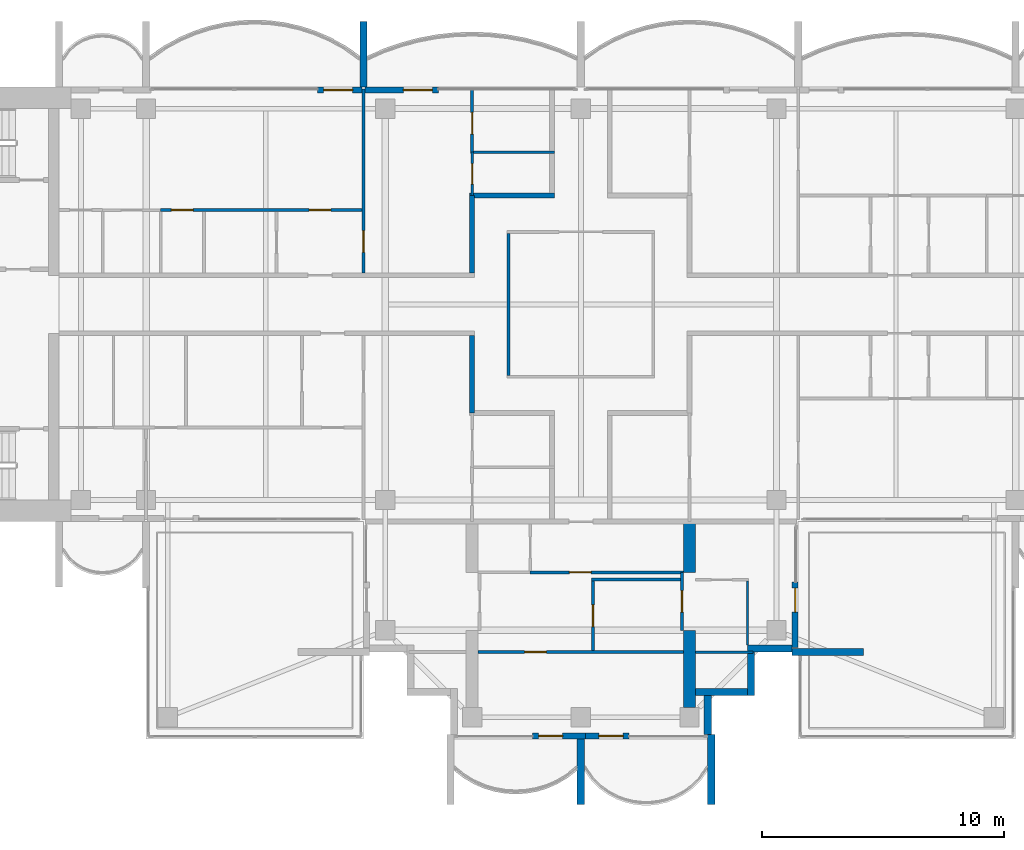
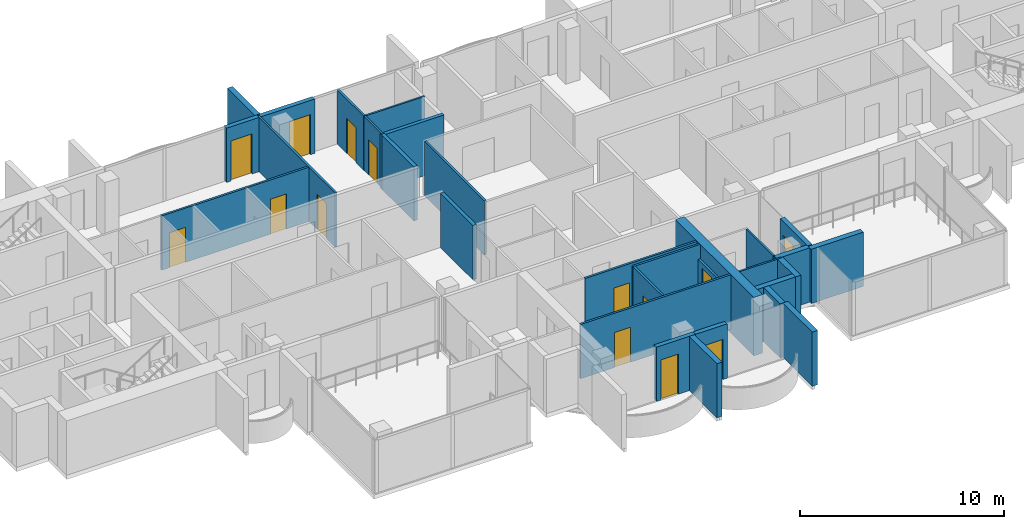
# One storey, part 9 of 16: 30 walls, 14 doors, 14 openings.
"""IFC4 building model written with IfcOpenShell, lengths in metres."""

from ifc_helpers import new_model, si_unit, direction, frame, frame_2d, origin, place, context, subcontext, project, spatial, polyline, rectangle, outline, extrude, material, layer, layer_set, material_profile, profile_set, type_object, element, fill, save


model = new_model("IFC4")

# Units and contexts
model_context = context("Model", 3, precision=1e-05, world=origin(), true_north=direction((0.0, 1.0)))
body_context = subcontext(model_context, "Body", "Model", "MODEL_VIEW")
ifc_project = project(units=[si_unit("LENGTHUNIT", "METRE"), si_unit("AREAUNIT", "SQUARE_METRE"), si_unit("VOLUMEUNIT", "CUBIC_METRE"), si_unit("PLANEANGLEUNIT", "RADIAN"), si_unit("MASSUNIT", "GRAM", prefix="KILO")], contexts=[model_context])

# Site, building, storey
site_placement = place(None, origin())
site = spatial("IfcSite", under=ifc_project, at=site_placement, CompositionType="ELEMENT")
building_placement = place(site_placement, origin())
building = spatial("IfcBuilding", under=site, at=building_placement, Name="Perihelion Cross Residences", CompositionType="ELEMENT")
storey_placement = place(building_placement, frame((0.0, 0.0, 243.0)))
storey = spatial("IfcBuildingStorey", under=building, at=storey_placement, Name="L61", CompositionType="ELEMENT", Elevation=243.0)

# Walls
ifc_material_1 = material(Name="Plasterboard partition")
ifc_layer_1 = layer(ifc_material_1, 0.199951171875)
ifc_layer_set_1 = layer_set([ifc_layer_1], Name="Apartment separation wall 200")
wall_type_1 = type_object("IfcWallType", Name="Apartment separation wall 200", PredefinedType="PARTITIONING", material=ifc_layer_set_1)
wall_1_placement = place(storey_placement, frame((-4.5, 1.300048828125, 0.0), z_axis=(0.0, 0.0, 1.0), x_axis=(0.0, 1.0, 0.0)))
element("IfcWall", 1, at=wall_1_placement, inside=storey, type_object=wall_type_1, Name="Partition L61 W014", PredefinedType="PARTITIONING", context=body_context, shape_type="SweptSolid", body=[
    extrude(rectangle(XDim=3.199951171875, YDim=0.199951171875, at=frame_2d((1.60009765625, 0.0))), origin(), (0.0, 0.0, 1.0), 3.25),
])
wall_2_placement = place(storey_placement, frame((-4.60009765625, 4.5, 0.0), z_axis=(0.0, 0.0, 1.0), x_axis=(1.0, 0.0, 0.0)))
element("IfcWall", 2, at=wall_2_placement, inside=storey, type_object=wall_type_1, Name="Partition L61 W015", PredefinedType="PARTITIONING", context=body_context, shape_type="SweptSolid", body=[
    extrude(rectangle(XDim=3.5, YDim=0.199951171875, at=frame_2d((1.75, 0.0))), origin(), (0.0, 0.0, 1.0), 3.25),
])
wall_3_placement = place(storey_placement, frame((-4.5, -4.5, 0.0), z_axis=(0.0, 0.0, 1.0), x_axis=(0.0, 1.0, 0.0)))
element("IfcWall", 3, at=wall_3_placement, inside=storey, type_object=wall_type_1, Name="Partition L61 W018", PredefinedType="PARTITIONING", context=body_context, shape_type="SweptSolid", body=[
    extrude(rectangle(XDim=3.199951171875, YDim=0.199951171875, at=frame_2d((1.60009765625, 0.0))), origin(), (0.0, 0.0, 1.0), 3.25),
])

# Wall, opening, door
ifc_material_2 = material(Name="Concrete C30/37, bronze-clad", Category="concrete")
ifc_layer_2 = layer(ifc_material_2, 0.25)
ifc_layer_set_2 = layer_set([ifc_layer_2], Name="Bronze-clad pier wall 250")
wall_type_2 = type_object("IfcWallType", Name="Bronze-clad pier wall 250", PredefinedType="SOLIDWALL", material=ifc_layer_set_2)
wall_4_placement = place(storey_placement, frame((-5.89990234375, 8.875, 0.0), z_axis=(0.0, 0.0, 1.0), x_axis=(-1.0, 0.0, 0.0)))
wall_4 = element("IfcWall", 4, at=wall_4_placement, inside=storey, type_object=wall_type_2, Name="Wall FW1 L61 north side east bay 2 pier", PredefinedType="SOLIDWALL", context=body_context, shape_type="SweptSolid", body=[
    extrude(rectangle(XDim=3.0400390625, YDim=0.25, at=frame_2d((1.52001953125, 0.0))), origin(), (0.0, 0.0, 1.0), 3.25),
])
opening_1_placement = place(wall_4_placement, frame((0.25, 0.0, 0.0)))
opening_1 = element("IfcOpeningElement", 5, at=opening_1_placement, cuts=wall_4, Name="Opening L61.E04", PredefinedType="OPENING", context=body_context, shape_type="SweptSolid", body=[
    extrude(rectangle(XDim=1.199951171875, YDim=2.39990234375, at=frame_2d((0.60009765625, 1.199951171875))), frame((0.0, 0.135009765625, 0.0), z_axis=(0.0, -1.0, 0.0), x_axis=(1.0, 0.0, 0.0)), (0.0, 0.0, 1.0), 0.27001953125),
])
ifc_material_3 = material(Name="Bronze anodised aluminium, glazed", Category="aluminium")
door_type_1 = type_object("IfcDoorType", Name="Balcony door 1200 x 2400", OperationType="NOTDEFINED", PredefinedType="DOOR", material=ifc_material_3)
door_1_placement = place(opening_1_placement, origin())
door_1 = element("IfcDoor", 6, at=door_1_placement, inside=storey, type_object=door_type_1, Name="Door L61.E04 north side east bay 2", OperationType="SINGLE_SWING_RIGHT", OverallHeight=2.39990234375, OverallWidth=1.199951171875, PredefinedType="DOOR", context=body_context, shape_type="SweptSolid", body=[
    extrude(rectangle(XDim=1.199951171875, YDim=2.39990234375, at=frame_2d((0.60009765625, 1.199951171875))), frame((0.0, 0.02490234375, 0.0), z_axis=(0.0, -1.0, 0.0), x_axis=(1.0, 0.0, 0.0)), (0.0, 0.0, 1.0), 0.050048828125),
])
fill(opening_1, door_1)

wall_5_placement = place(storey_placement, frame((-9.06005859375, 8.875, 0.0), z_axis=(0.0, 0.0, 1.0), x_axis=(-1.0, 0.0, 0.0)))
wall_5 = element("IfcWall", 7, at=wall_5_placement, inside=storey, type_object=wall_type_2, Name="Wall FW1 L61 west side north bay 1 pier", PredefinedType="SOLIDWALL", context=body_context, shape_type="SweptSolid", body=[
    extrude(rectangle(XDim=1.83984375, YDim=0.25, at=frame_2d((0.919921875, 0.0))), origin(), (0.0, 0.0, 1.0), 3.25),
])
opening_2_placement = place(wall_5_placement, frame((0.389892578125, 0.0, 0.0)))
opening_2 = element("IfcOpeningElement", 8, at=opening_2_placement, cuts=wall_5, Name="Opening L61.E05", PredefinedType="OPENING", context=body_context, shape_type="SweptSolid", body=[
    extrude(rectangle(XDim=1.199951171875, YDim=2.39990234375, at=frame_2d((0.60009765625, 1.199951171875))), frame((0.0, 0.135009765625, 0.0), z_axis=(0.0, -1.0, 0.0), x_axis=(1.0, 0.0, 0.0)), (0.0, 0.0, 1.0), 0.27001953125),
])
door_2_placement = place(opening_2_placement, origin())
door_2 = element("IfcDoor", 9, at=door_2_placement, inside=storey, type_object=door_type_1, Name="Door L61.E05 west side north bay 1", OperationType="SINGLE_SWING_LEFT", OverallHeight=2.39990234375, OverallWidth=1.199951171875, PredefinedType="DOOR", context=body_context, shape_type="SweptSolid", body=[
    extrude(rectangle(XDim=1.199951171875, YDim=2.39990234375, at=frame_2d((0.60009765625, 1.199951171875))), frame((0.0, 0.02490234375, 0.0), z_axis=(0.0, -1.0, 0.0), x_axis=(1.0, 0.0, 0.0)), (0.0, 0.0, 1.0), 0.050048828125),
])
fill(opening_2, door_2)

wall_6_placement = place(storey_placement, frame((-2.0, -17.875, 0.0), z_axis=(0.0, 0.0, 1.0), x_axis=(1.0, 0.0, 0.0)))
wall_6 = element("IfcWall", 10, at=wall_6_placement, inside=storey, type_object=wall_type_2, Name="Wall FW1 L61 south tip south bay 1 pier", PredefinedType="SOLIDWALL", context=body_context, shape_type="SweptSolid", body=[
    extrude(rectangle(XDim=2.199951171875, YDim=0.25, at=frame_2d((1.10009765625, 0.0))), origin(), (0.0, 0.0, 1.0), 3.25),
])
opening_3_placement = place(wall_6_placement, frame((0.25, 0.0, 0.0)))
opening_3 = element("IfcOpeningElement", 11, at=opening_3_placement, cuts=wall_6, Name="Opening L61.E10", PredefinedType="OPENING", context=body_context, shape_type="SweptSolid", body=[
    extrude(rectangle(XDim=1.0, YDim=2.39990234375, at=frame_2d((0.5, 1.199951171875))), frame((0.0, 0.135009765625, 0.0), z_axis=(0.0, -1.0, 0.0), x_axis=(1.0, 0.0, 0.0)), (0.0, 0.0, 1.0), 0.27001953125),
])
ifc_material_4 = material(Name="Bronze anodised aluminium, glazed", Category="aluminium")
door_type_2 = type_object("IfcDoorType", Name="Balcony door 1000 x 2400", OperationType="NOTDEFINED", PredefinedType="DOOR", material=ifc_material_4)
door_3_placement = place(opening_3_placement, origin())
door_3 = element("IfcDoor", 12, at=door_3_placement, inside=storey, type_object=door_type_2, Name="Door L61.E10 south tip south bay 1", OperationType="SINGLE_SWING_RIGHT", OverallHeight=2.39990234375, OverallWidth=1.0, PredefinedType="DOOR", context=body_context, shape_type="SweptSolid", body=[
    extrude(rectangle(XDim=1.0, YDim=2.39990234375, at=frame_2d((0.5, 1.199951171875))), frame((0.0, 0.02490234375, 0.0), z_axis=(0.0, -1.0, 0.0), x_axis=(1.0, 0.0, 0.0)), (0.0, 0.0, 1.0), 0.050048828125),
])
fill(opening_3, door_3)

wall_7_placement = place(storey_placement, frame((0.199951171875, -17.875, 0.0), z_axis=(0.0, 0.0, 1.0), x_axis=(1.0, 0.0, 0.0)))
wall_7 = element("IfcWall", 13, at=wall_7_placement, inside=storey, type_object=wall_type_2, Name="Wall FW1 L61 south tip south bay 2 pier", PredefinedType="SOLIDWALL", context=body_context, shape_type="SweptSolid", body=[
    extrude(rectangle(XDim=1.800048828125, YDim=0.25, at=frame_2d((0.89990234375, 0.0))), origin(), (0.0, 0.0, 1.0), 3.25),
])
opening_4_placement = place(wall_7_placement, frame((0.550048828125, 0.0, 0.0)))
opening_4 = element("IfcOpeningElement", 14, at=opening_4_placement, cuts=wall_7, Name="Opening L61.E11", PredefinedType="OPENING", context=body_context, shape_type="SweptSolid", body=[
    extrude(rectangle(XDim=1.0, YDim=2.39990234375, at=frame_2d((0.5, 1.199951171875))), frame((0.0, 0.135009765625, 0.0), z_axis=(0.0, -1.0, 0.0), x_axis=(1.0, 0.0, 0.0)), (0.0, 0.0, 1.0), 0.27001953125),
])
door_4_placement = place(opening_4_placement, origin())
door_4 = element("IfcDoor", 15, at=door_4_placement, inside=storey, type_object=door_type_2, Name="Door L61.E11 south tip south bay 2", OperationType="SINGLE_SWING_LEFT", OverallHeight=2.39990234375, OverallWidth=1.0, PredefinedType="DOOR", context=body_context, shape_type="SweptSolid", body=[
    extrude(rectangle(XDim=1.0, YDim=2.39990234375, at=frame_2d((0.5, 1.199951171875))), frame((0.0, 0.02490234375, 0.0), z_axis=(0.0, -1.0, 0.0), x_axis=(1.0, 0.0, 0.0)), (0.0, 0.0, 1.0), 0.050048828125),
])
fill(opening_4, door_4)

wall_8_placement = place(storey_placement, frame((8.875, -14.199951171875, 0.0), z_axis=(0.0, 0.0, 1.0), x_axis=(0.0, 1.0, 0.0)))
wall_8 = element("IfcWall", 16, at=wall_8_placement, inside=storey, type_object=wall_type_2, Name="Wall FW1 L61 south side east bay 1 pier", PredefinedType="SOLIDWALL", context=body_context, shape_type="SweptSolid", body=[
    extrude(rectangle(XDim=2.699951171875, YDim=0.25, at=frame_2d((1.35009765625, 0.0))), origin(), (0.0, 0.0, 1.0), 3.25),
])
opening_5_placement = place(wall_8_placement, frame((1.449951171875, 0.0, 0.0)))
opening_5 = element("IfcOpeningElement", 17, at=opening_5_placement, cuts=wall_8, Name="Opening L61.E12", PredefinedType="OPENING", context=body_context, shape_type="SweptSolid", body=[
    extrude(rectangle(XDim=1.0, YDim=2.39990234375, at=frame_2d((0.5, 1.199951171875))), frame((0.0, 0.135009765625, 0.0), z_axis=(0.0, -1.0, 0.0), x_axis=(1.0, 0.0, 0.0)), (0.0, 0.0, 1.0), 0.27001953125),
])
door_5_placement = place(opening_5_placement, origin())
door_5 = element("IfcDoor", 18, at=door_5_placement, inside=storey, type_object=door_type_2, Name="Door L61.E12 south side east bay 1", OperationType="SINGLE_SWING_RIGHT", OverallHeight=2.39990234375, OverallWidth=1.0, PredefinedType="DOOR", context=body_context, shape_type="SweptSolid", body=[
    extrude(rectangle(XDim=1.0, YDim=2.39990234375, at=frame_2d((0.5, 1.199951171875))), frame((0.0, 0.02490234375, 0.0), z_axis=(0.0, -1.0, 0.0), x_axis=(1.0, 0.0, 0.0)), (0.0, 0.0, 1.0), 0.050048828125),
])
fill(opening_5, door_5)

# Walls
ifc_material_5 = material(Name="Concrete C30/37, bronze-clad", Category="concrete")
ifc_layer_3 = layer(ifc_material_5, 0.300048828125)
ifc_layer_set_3 = layer_set([ifc_layer_3], Name="Bronze-clad serration wall 300")
wall_type_3 = type_object("IfcWallType", Name="Bronze-clad serration wall 300", PredefinedType="SOLIDWALL", material=ifc_layer_set_3)
wall_9_placement = place(storey_placement, frame((5.25, -17.820068359375, 0.0), z_axis=(0.0, 0.0, 1.0), x_axis=(0.0, 1.0, 0.0)))
element("IfcWall", 19, at=wall_9_placement, inside=storey, type_object=wall_type_3, Name="Wall SR1 L61 south corner south-east 1", PredefinedType="SOLIDWALL", context=body_context, shape_type="SweptSolid", body=[
    extrude(rectangle(XDim=1.6201171875, YDim=0.300048828125, at=frame_2d((0.81005859375, 0.0))), origin(), (0.0, 0.0, 1.0), 3.25),
])
wall_10_placement = place(storey_placement, frame((4.75, -16.050048828125, 0.0), z_axis=(0.0, 0.0, 1.0), x_axis=(1.0, 0.0, 0.0)))
element("IfcWall", 20, at=wall_10_placement, inside=storey, type_object=wall_type_3, Name="Wall SR1 L61 south corner south-east 2", PredefinedType="SOLIDWALL", context=body_context, shape_type="SweptSolid", body=[
    extrude(rectangle(XDim=2.14990234375, YDim=0.300048828125, at=frame_2d((1.074951171875, 0.0))), origin(), (0.0, 0.0, 1.0), 3.25),
])
wall_11_placement = place(storey_placement, frame((7.050048828125, -16.199951171875, 0.0), z_axis=(0.0, 0.0, 1.0), x_axis=(0.0, 1.0, 0.0)))
element("IfcWall", 21, at=wall_11_placement, inside=storey, type_object=wall_type_3, Name="Wall SR1 L61 south corner south-east 3", PredefinedType="SOLIDWALL", context=body_context, shape_type="SweptSolid", body=[
    extrude(rectangle(XDim=1.800048828125, YDim=0.300048828125, at=frame_2d((0.89990234375, 0.0))), origin(), (0.0, 0.0, 1.0), 3.25),
])
wall_12_placement = place(storey_placement, frame((6.89990234375, -14.25, 0.0), z_axis=(0.0, 0.0, 1.0), x_axis=(1.0, 0.0, 0.0)))
element("IfcWall", 22, at=wall_12_placement, inside=storey, type_object=wall_type_3, Name="Wall SR1 L61 south corner south-east 4", PredefinedType="SOLIDWALL", context=body_context, shape_type="SweptSolid", body=[
    extrude(rectangle(XDim=1.85009765625, YDim=0.300048828125, at=frame_2d((0.925048828125, 0.0))), origin(), (0.0, 0.0, 1.0), 3.25),
])

# Wall, opening, door
ifc_material_6 = material(Name="Plasterboard partition")
ifc_layer_4 = layer(ifc_material_6, 0.1201171875)
ifc_layer_set_4 = layer_set([ifc_layer_4], Name="Infill panel 120")
wall_type_4 = type_object("IfcWallType", Name="Infill panel 120", PredefinedType="PARTITIONING", material=ifc_layer_set_4)
wall_13_placement = place(storey_placement, frame((4.18994140625, -11.10009765625, 0.0), z_axis=(0.0, 0.0, 1.0), x_axis=(0.0, -1.0, 0.0)))
wall_13 = element("IfcWall", 23, at=wall_13_placement, inside=storey, type_object=wall_type_4, Name="Partition L61 WI01", PredefinedType="PARTITIONING", context=body_context, shape_type="SweptSolid", body=[
    extrude(rectangle(XDim=2.39990234375, YDim=0.1201171875, at=frame_2d((1.199951171875, 0.0))), origin(), (0.0, 0.0, 1.0), 2.39990234375),
])
opening_6_placement = place(wall_13_placement, frame((0.75, 0.0, 0.0)))
opening_6 = element("IfcOpeningElement", 24, at=opening_6_placement, cuts=wall_13, Name="Opening L61.A42", PredefinedType="OPENING", context=body_context, shape_type="SweptSolid", body=[
    extrude(rectangle(XDim=0.89990234375, YDim=2.10009765625, at=frame_2d((0.449951171875, 1.050048828125))), frame((0.0, 0.070068359375, 0.0), z_axis=(0.0, -1.0, 0.0), x_axis=(1.0, 0.0, 0.0)), (0.0, 0.0, 1.0), 0.14013671875),
])
ifc_material_7 = material(Name="Timber door leaf", Category="wood")
door_type_3 = type_object("IfcDoorType", Name="Interior room door 900 x 2100", OperationType="SINGLE_SWING_LEFT", PredefinedType="DOOR", material=ifc_material_7)
door_6_placement = place(opening_6_placement, origin())
door_6 = element("IfcDoor", 25, at=door_6_placement, inside=storey, type_object=door_type_3, Name="Door L61.A42", OperationType="SINGLE_SWING_LEFT", OverallHeight=2.10009765625, OverallWidth=0.89990234375, PredefinedType="DOOR", context=body_context, shape_type="SweptSolid", body=[
    extrude(rectangle(XDim=0.89990234375, YDim=2.10009765625, at=frame_2d((0.449951171875, 1.050048828125))), frame((0.0, 0.02490234375, 0.0), z_axis=(0.0, -1.0, 0.0), x_axis=(1.0, 0.0, 0.0)), (0.0, 0.0, 1.0), 0.050048828125),
])
fill(opening_6, door_6)

# Wall
ifc_material_8 = material(Name="Plasterboard partition")
ifc_layer_5 = layer(ifc_material_8, 0.1201171875)
ifc_layer_set_5 = layer_set([ifc_layer_5], Name="Partition wall 120")
wall_type_5 = type_object("IfcWallType", Name="Partition wall 120", PredefinedType="PARTITIONING", material=ifc_layer_set_5)
wall_14_placement = place(storey_placement, frame((-3.0, 2.93994140625, 0.0), z_axis=(0.0, 0.0, 1.0), x_axis=(0.0, -1.0, 0.0)))
element("IfcWall", 26, at=wall_14_placement, inside=storey, type_object=wall_type_5, Name="Partition L61 W004", PredefinedType="PARTITIONING", context=body_context, shape_type="SweptSolid", body=[
    extrude(rectangle(XDim=5.8798828125, YDim=0.1201171875, at=frame_2d((2.93994140625, 0.0))), origin(), (0.0, 0.0, 1.0), 3.25),
])

# Wall, openings, doors
wall_15_placement = place(storey_placement, frame((-17.39990234375, 3.89990234375, 0.0), z_axis=(0.0, 0.0, 1.0), x_axis=(1.0, 0.0, 0.0)))
wall_15 = element("IfcWall", 27, at=wall_15_placement, inside=storey, type_object=wall_type_5, Name="Partition L61 W041", PredefinedType="PARTITIONING", context=body_context, shape_type="SweptSolid", body=[
    extrude(rectangle(XDim=8.4599609375, YDim=0.1201171875, at=frame_2d((4.22998046875, 0.0))), origin(), (0.0, 0.0, 1.0), 3.25),
])
opening_7_placement = place(wall_15_placement, frame((0.449951171875, 0.0, 0.0)))
opening_7 = element("IfcOpeningElement", 28, at=opening_7_placement, cuts=wall_15, Name="Opening L61.A19", PredefinedType="OPENING", context=body_context, shape_type="SweptSolid", body=[
    extrude(rectangle(XDim=0.89990234375, YDim=2.10009765625, at=frame_2d((0.449951171875, 1.050048828125))), frame((0.0, 0.070068359375, 0.0), z_axis=(0.0, -1.0, 0.0), x_axis=(1.0, 0.0, 0.0)), (0.0, 0.0, 1.0), 0.14013671875),
])
opening_8_placement = place(wall_15_placement, frame((6.14990234375, 0.0, 0.0)))
opening_8 = element("IfcOpeningElement", 29, at=opening_8_placement, cuts=wall_15, Name="Opening L61.A23", PredefinedType="OPENING", context=body_context, shape_type="SweptSolid", body=[
    extrude(rectangle(XDim=0.89990234375, YDim=2.10009765625, at=frame_2d((0.449951171875, 1.050048828125))), frame((0.0, 0.070068359375, 0.0), z_axis=(0.0, -1.0, 0.0), x_axis=(1.0, 0.0, 0.0)), (0.0, 0.0, 1.0), 0.14013671875),
])
door_7_placement = place(opening_7_placement, origin())
door_7 = element("IfcDoor", 30, at=door_7_placement, inside=storey, type_object=door_type_3, Name="Door L61.A19", OperationType="SINGLE_SWING_LEFT", OverallHeight=2.10009765625, OverallWidth=0.89990234375, PredefinedType="DOOR", context=body_context, shape_type="SweptSolid", body=[
    extrude(rectangle(XDim=0.89990234375, YDim=2.10009765625, at=frame_2d((0.449951171875, 1.050048828125))), frame((0.0, 0.02490234375, 0.0), z_axis=(0.0, -1.0, 0.0), x_axis=(1.0, 0.0, 0.0)), (0.0, 0.0, 1.0), 0.050048828125),
])
fill(opening_7, door_7)
door_8_placement = place(opening_8_placement, origin())
door_8 = element("IfcDoor", 31, at=door_8_placement, inside=storey, type_object=door_type_3, Name="Door L61.A23", OperationType="SINGLE_SWING_LEFT", OverallHeight=2.10009765625, OverallWidth=0.89990234375, PredefinedType="DOOR", context=body_context, shape_type="SweptSolid", body=[
    extrude(rectangle(XDim=0.89990234375, YDim=2.10009765625, at=frame_2d((0.449951171875, 1.050048828125))), frame((0.0, 0.02490234375, 0.0), z_axis=(0.0, -1.0, 0.0), x_axis=(1.0, 0.0, 0.0)), (0.0, 0.0, 1.0), 0.050048828125),
])
fill(opening_8, door_8)

# Wall, opening, door
wall_16_placement = place(storey_placement, frame((-9.0, 8.919921875, 0.0), z_axis=(0.0, 0.0, 1.0), x_axis=(0.0, -1.0, 0.0)))
wall_16 = element("IfcWall", 32, at=wall_16_placement, inside=storey, type_object=wall_type_5, Name="Partition L61 W042", PredefinedType="PARTITIONING", context=body_context, shape_type="SweptSolid", body=[
    extrude(rectangle(XDim=7.619873046875, YDim=0.1201171875, at=frame_2d((3.81005859375, 0.0))), origin(), (0.0, 0.0, 1.0), 3.25),
])
opening_9_placement = place(wall_16_placement, frame((5.8701171875, 0.0, 0.0)))
opening_9 = element("IfcOpeningElement", 33, at=opening_9_placement, cuts=wall_16, Name="Opening L61.A20", PredefinedType="OPENING", context=body_context, shape_type="SweptSolid", body=[
    extrude(rectangle(XDim=0.89990234375, YDim=2.10009765625, at=frame_2d((0.449951171875, 1.050048828125))), frame((0.0, 0.070068359375, 0.0), z_axis=(0.0, -1.0, 0.0), x_axis=(1.0, 0.0, 0.0)), (0.0, 0.0, 1.0), 0.14013671875),
])
door_9_placement = place(opening_9_placement, origin())
door_9 = element("IfcDoor", 34, at=door_9_placement, inside=storey, type_object=door_type_3, Name="Door L61.A20", OperationType="SINGLE_SWING_RIGHT", OverallHeight=2.10009765625, OverallWidth=0.89990234375, PredefinedType="DOOR", context=body_context, shape_type="SweptSolid", body=[
    extrude(rectangle(XDim=0.89990234375, YDim=2.10009765625, at=frame_2d((0.449951171875, 1.050048828125))), frame((0.0, 0.02490234375, 0.0), z_axis=(0.0, -1.0, 0.0), x_axis=(1.0, 0.0, 0.0)), (0.0, 0.0, 1.0), 0.050048828125),
])
fill(opening_9, door_9)

wall_17_placement = place(storey_placement, frame((-4.5, 8.919921875, 0.0), z_axis=(0.0, 0.0, 1.0), x_axis=(0.0, -1.0, 0.0)))
wall_17 = element("IfcWall", 35, at=wall_17_placement, inside=storey, type_object=wall_type_5, Name="Partition L61 W049", PredefinedType="PARTITIONING", context=body_context, shape_type="SweptSolid", body=[
    extrude(rectangle(XDim=2.619873046875, YDim=0.1201171875, at=frame_2d((1.31005859375, 0.0))), origin(), (0.0, 0.0, 1.0), 3.25),
])
opening_10_placement = place(wall_17_placement, frame((0.969970703125, 0.0, 0.0)))
opening_10 = element("IfcOpeningElement", 36, at=opening_10_placement, cuts=wall_17, Name="Opening L61.A21", PredefinedType="OPENING", context=body_context, shape_type="SweptSolid", body=[
    extrude(rectangle(XDim=0.89990234375, YDim=2.10009765625, at=frame_2d((0.449951171875, 1.050048828125))), frame((0.0, 0.070068359375, 0.0), z_axis=(0.0, -1.0, 0.0), x_axis=(1.0, 0.0, 0.0)), (0.0, 0.0, 1.0), 0.14013671875),
])
door_10_placement = place(opening_10_placement, origin())
door_10 = element("IfcDoor", 37, at=door_10_placement, inside=storey, type_object=door_type_3, Name="Door L61.A21", OperationType="SINGLE_SWING_LEFT", OverallHeight=2.10009765625, OverallWidth=0.89990234375, PredefinedType="DOOR", context=body_context, shape_type="SweptSolid", body=[
    extrude(rectangle(XDim=0.89990234375, YDim=2.10009765625, at=frame_2d((0.449951171875, 1.050048828125))), frame((0.0, 0.02490234375, 0.0), z_axis=(0.0, -1.0, 0.0), x_axis=(1.0, 0.0, 0.0)), (0.0, 0.0, 1.0), 0.050048828125),
])
fill(opening_10, door_10)

wall_18_placement = place(storey_placement, frame((4.25, -11.10009765625, 0.0), z_axis=(0.0, 0.0, 1.0), x_axis=(-1.0, 0.0, 0.0)))
wall_18 = element("IfcWall", 38, at=wall_18_placement, inside=storey, type_object=wall_type_5, Name="Partition L61 W062", PredefinedType="PARTITIONING", context=body_context, shape_type="SweptSolid", body=[
    extrude(rectangle(XDim=6.35009765625, YDim=0.1201171875, at=frame_2d((3.175048828125, 0.0))), origin(), (0.0, 0.0, 1.0), 3.25),
])
opening_11_placement = place(wall_18_placement, frame((3.824951171875, 0.0, 0.0)))
opening_11 = element("IfcOpeningElement", 39, at=opening_11_placement, cuts=wall_18, Name="Opening L61.A34", PredefinedType="OPENING", context=body_context, shape_type="SweptSolid", body=[
    extrude(rectangle(XDim=0.89990234375, YDim=2.10009765625, at=frame_2d((0.449951171875, 1.050048828125))), frame((0.0, 0.070068359375, 0.0), z_axis=(0.0, -1.0, 0.0), x_axis=(1.0, 0.0, 0.0)), (0.0, 0.0, 1.0), 0.14013671875),
])
door_11_placement = place(opening_11_placement, origin())
door_11 = element("IfcDoor", 40, at=door_11_placement, inside=storey, type_object=door_type_3, Name="Door L61.A34", OperationType="SINGLE_SWING_LEFT", OverallHeight=2.10009765625, OverallWidth=0.89990234375, PredefinedType="DOOR", context=body_context, shape_type="SweptSolid", body=[
    extrude(rectangle(XDim=0.89990234375, YDim=2.10009765625, at=frame_2d((0.449951171875, 1.050048828125))), frame((0.0, 0.02490234375, 0.0), z_axis=(0.0, -1.0, 0.0), x_axis=(1.0, 0.0, 0.0)), (0.0, 0.0, 1.0), 0.050048828125),
])
fill(opening_11, door_11)

# Wall
wall_19_placement = place(storey_placement, frame((4.25, -11.39990234375, 0.0), z_axis=(0.0, 0.0, 1.0), x_axis=(-1.0, 0.0, 0.0)))
element("IfcWall", 41, at=wall_19_placement, inside=storey, type_object=wall_type_5, Name="Partition L61 W064", PredefinedType="PARTITIONING", context=body_context, shape_type="SweptSolid", body=[
    extrude(rectangle(XDim=3.81005859375, YDim=0.1201171875, at=frame_2d((1.905029296875, 0.0))), origin(), (0.0, 0.0, 1.0), 3.25),
])

# Wall, opening, door
wall_20_placement = place(storey_placement, frame((0.5, -11.4599609375, 0.0), z_axis=(0.0, 0.0, 1.0), x_axis=(0.0, -1.0, 0.0)))
wall_20 = element("IfcWall", 42, at=wall_20_placement, inside=storey, type_object=wall_type_5, Name="Partition L61 W065", PredefinedType="PARTITIONING", context=body_context, shape_type="SweptSolid", body=[
    extrude(rectangle(XDim=2.880126953125, YDim=0.1201171875, at=frame_2d((1.43994140625, 0.0))), origin(), (0.0, 0.0, 1.0), 3.25),
])
opening_12_placement = place(wall_20_placement, frame((0.989990234375, 0.0, 0.0)))
opening_12 = element("IfcOpeningElement", 43, at=opening_12_placement, cuts=wall_20, Name="Opening L61.A35", PredefinedType="OPENING", context=body_context, shape_type="SweptSolid", body=[
    extrude(rectangle(XDim=0.89990234375, YDim=2.10009765625, at=frame_2d((0.449951171875, 1.050048828125))), frame((0.0, 0.070068359375, 0.0), z_axis=(0.0, -1.0, 0.0), x_axis=(1.0, 0.0, 0.0)), (0.0, 0.0, 1.0), 0.14013671875),
])
door_12_placement = place(opening_12_placement, origin())
door_12 = element("IfcDoor", 44, at=door_12_placement, inside=storey, type_object=door_type_3, Name="Door L61.A35", OperationType="SINGLE_SWING_RIGHT", OverallHeight=2.10009765625, OverallWidth=0.89990234375, PredefinedType="DOOR", context=body_context, shape_type="SweptSolid", body=[
    extrude(rectangle(XDim=0.89990234375, YDim=2.10009765625, at=frame_2d((0.449951171875, 1.050048828125))), frame((0.0, 0.02490234375, 0.0), z_axis=(0.0, -1.0, 0.0), x_axis=(1.0, 0.0, 0.0)), (0.0, 0.0, 1.0), 0.050048828125),
])
fill(opening_12, door_12)

wall_21_placement = place(storey_placement, frame((4.25, -14.39990234375, 0.0), z_axis=(0.0, 0.0, 1.0), x_axis=(-1.0, 0.0, 0.0)))
wall_21 = element("IfcWall", 45, at=wall_21_placement, inside=storey, type_object=wall_type_5, Name="Partition L61 W066", PredefinedType="PARTITIONING", context=body_context, shape_type="SweptSolid", body=[
    extrude(rectangle(XDim=8.5, YDim=0.1201171875, at=frame_2d((4.25, 0.0))), origin(), (0.0, 0.0, 1.0), 3.25),
])
opening_13_placement = place(wall_21_placement, frame((5.675048828125, 0.0, 0.0)))
opening_13 = element("IfcOpeningElement", 46, at=opening_13_placement, cuts=wall_21, Name="Opening L61.A36", PredefinedType="OPENING", context=body_context, shape_type="SweptSolid", body=[
    extrude(rectangle(XDim=0.89990234375, YDim=2.10009765625, at=frame_2d((0.449951171875, 1.050048828125))), frame((0.0, 0.070068359375, 0.0), z_axis=(0.0, -1.0, 0.0), x_axis=(1.0, 0.0, 0.0)), (0.0, 0.0, 1.0), 0.14013671875),
])
door_13_placement = place(opening_13_placement, origin())
door_13 = element("IfcDoor", 47, at=door_13_placement, inside=storey, type_object=door_type_3, Name="Door L61.A36", OperationType="SINGLE_SWING_RIGHT", OverallHeight=2.10009765625, OverallWidth=0.89990234375, PredefinedType="DOOR", context=body_context, shape_type="SweptSolid", body=[
    extrude(rectangle(XDim=0.89990234375, YDim=2.10009765625, at=frame_2d((0.449951171875, 1.050048828125))), frame((0.0, 0.02490234375, 0.0), z_axis=(0.0, -1.0, 0.0), x_axis=(1.0, 0.0, 0.0)), (0.0, 0.0, 1.0), 0.050048828125),
])
fill(opening_13, door_13)

# Walls
ifc_material_9 = material(Name="Precast concrete C50/60", Category="concrete")
ifc_layer_6 = layer(ifc_material_9, 0.300048828125)
ifc_layer_set_6 = layer_set([ifc_layer_6], Name="Precast concrete C50/60 blade wall 300")
wall_type_6 = type_object("IfcWallType", Name="Precast concrete C50/60 blade wall 300", PredefinedType="SOLIDWALL", material=ifc_layer_set_6)
for number, where, z_axis, x_axis, name in (
    (48, (-9.0, 9.0, 0.0), (0.0, 0.0, 1.0), (0.0, 1.0, 0.0), "Wall BL1 L61 no. 7"),
    (49, (0.0, -18.0, 0.0), (0.0, 0.0, 1.0), (0.0, -1.0, 0.0), "Wall BL1 L61 no. 8"),
):
    element("IfcWall", number, at=place(storey_placement, frame(where, z_axis=z_axis, x_axis=x_axis)), inside=storey, type_object=wall_type_6, Name=name, PredefinedType="SOLIDWALL", context=body_context, shape_type="SweptSolid", body=[
        extrude(rectangle(XDim=2.699951171875, YDim=0.300048828125, at=frame_2d((1.35009765625, 0.0))), origin(), (0.0, 0.0, 1.0), 3.25),
    ])
wall_22_placement = place(storey_placement, frame((5.39990234375, -17.820068359375, 0.0), z_axis=(0.0, 0.0, 1.0), x_axis=(0.0, -1.0, 0.0)))
element("IfcWall", 50, at=wall_22_placement, inside=storey, type_object=wall_type_6, Name="Wall BL1 L61 no. 14", PredefinedType="SOLIDWALL", context=body_context, shape_type="SweptSolid", body=[
    extrude(rectangle(XDim=2.8798828125, YDim=0.300048828125, at=frame_2d((1.43994140625, 0.0))), origin(), (0.0, 0.0, 1.0), 3.25),
])
wall_23_placement = place(storey_placement, frame((8.75, -14.39990234375, 0.0), z_axis=(0.0, 0.0, 1.0), x_axis=(1.0, 0.0, 0.0)))
element("IfcWall", 51, at=wall_23_placement, inside=storey, type_object=wall_type_6, Name="Wall BL1 L61 no. 15", PredefinedType="SOLIDWALL", context=body_context, shape_type="SweptSolid", body=[
    extrude(rectangle(XDim=2.949951171875, YDim=0.300048828125, at=frame_2d((1.47509765625, 0.0))), origin(), (0.0, 0.0, 1.0), 3.25),
])
ifc_material_10 = material(Name="Concrete C50/60", Category="concrete")
ifc_material_profile = material_profile(ifc_material_10, outline(polyline([(0.0, 0.0), (3.199951171875, 0.0), (3.199951171875, 2.64990234375), (5.60009765625, 2.64990234375), (5.60009765625, 0.0), (7.699951171875, 0.0), (7.699951171875, 3.5), (0.0, 3.5), (0.0, 0.0)])), Name="Tip spine wall")
ifc_profile_set = profile_set([ifc_material_profile], Name="Concrete C50/60")
wall_type_7 = type_object("IfcWallType", Name="Tip spine wall 500 with 1 door openings 7700 long 3500 high concrete C50/60", PredefinedType="SHEAR", material=ifc_profile_set)
wall_24_placement = place(storey_placement, frame((4.25, -16.699951171875, -0.25), z_axis=(1.0, 0.0, 0.0), x_axis=(0.0, 1.0, 0.0)))
element("IfcWall", 52, at=wall_24_placement, inside=storey, type_object=wall_type_7, Name="Shear wall SW45 L61 south east", PredefinedType="SHEAR", context=body_context, shape_type="SweptSolid", body=[
    extrude(outline(polyline([(0.0, 0.0), (3.199951171875, 0.0), (3.199951171875, 2.64990234375), (5.60009765625, 2.64990234375), (5.60009765625, 0.0), (7.699951171875, 0.0), (7.699951171875, 3.5), (0.0, 3.5), (0.0, 0.0)])), origin(), (0.0, 0.0, 1.0), 0.5),
])

# Wall, opening, door
ifc_material_11 = material(Name="Plasterboard partition")
ifc_layer_7 = layer(ifc_material_11, 0.10009765625)
ifc_layer_set_7 = layer_set([ifc_layer_7], Name="Wet room wall 100")
wall_type_8 = type_object("IfcWallType", Name="Wet room wall 100", PredefinedType="PARTITIONING", material=ifc_layer_set_7)
wall_25_placement = place(storey_placement, frame((-4.5, 6.300048828125, 0.0), z_axis=(0.0, 0.0, 1.0), x_axis=(0.0, -1.0, 0.0)))
wall_25 = element("IfcWall", 53, at=wall_25_placement, inside=storey, type_object=wall_type_8, Name="Partition L61 W048", PredefinedType="PARTITIONING", context=body_context, shape_type="SweptSolid", body=[
    extrude(rectangle(XDim=1.800048828125, YDim=0.10009765625, at=frame_2d((0.89990234375, 0.0))), origin(), (0.0, 0.0, 1.0), 3.25),
])
opening_14_placement = place(wall_25_placement, frame((0.47509765625, 0.0, 0.0)))
opening_14 = element("IfcOpeningElement", 54, at=opening_14_placement, cuts=wall_25, Name="Opening L61.A22", PredefinedType="OPENING", context=body_context, shape_type="SweptSolid", body=[
    extrude(rectangle(XDim=0.85009765625, YDim=2.10009765625, at=frame_2d((0.425048828125, 1.050048828125))), frame((0.0, 0.06005859375, 0.0), z_axis=(0.0, -1.0, 0.0), x_axis=(1.0, 0.0, 0.0)), (0.0, 0.0, 1.0), 0.1201171875),
])
ifc_material_12 = material(Name="Timber door leaf", Category="wood")
door_type_4 = type_object("IfcDoorType", Name="Interior bathroom door 850 x 2100", OperationType="SINGLE_SWING_LEFT", PredefinedType="DOOR", material=ifc_material_12)
door_14_placement = place(opening_14_placement, origin())
door_14 = element("IfcDoor", 55, at=door_14_placement, inside=storey, type_object=door_type_4, Name="Door L61.A22", OperationType="SINGLE_SWING_LEFT", OverallHeight=2.10009765625, OverallWidth=0.85009765625, PredefinedType="DOOR", context=body_context, shape_type="SweptSolid", body=[
    extrude(rectangle(XDim=0.85009765625, YDim=2.10009765625, at=frame_2d((0.425048828125, 1.050048828125))), frame((0.0, 0.02490234375, 0.0), z_axis=(0.0, -1.0, 0.0), x_axis=(1.0, 0.0, 0.0)), (0.0, 0.0, 1.0), 0.050048828125),
])
fill(opening_14, door_14)

# Walls
wall_26_placement = place(storey_placement, frame((-4.56005859375, 6.300048828125, 0.0), z_axis=(0.0, 0.0, 1.0), x_axis=(1.0, 0.0, 0.0)))
element("IfcWall", 56, at=wall_26_placement, inside=storey, type_object=wall_type_8, Name="Partition L61 W050", PredefinedType="PARTITIONING", context=body_context, shape_type="SweptSolid", body=[
    extrude(rectangle(XDim=3.4599609375, YDim=0.10009765625, at=frame_2d((1.72998046875, 0.0))), origin(), (0.0, 0.0, 1.0), 3.25),
])
wall_27_placement = place(storey_placement, frame((6.89990234375, -14.10009765625, 0.0), z_axis=(0.0, 0.0, 1.0), x_axis=(0.0, 1.0, 0.0)))
element("IfcWall", 57, at=wall_27_placement, inside=storey, type_object=wall_type_8, Name="Partition L61 W067", PredefinedType="PARTITIONING", context=body_context, shape_type="SweptSolid", body=[
    extrude(rectangle(XDim=2.650146484375, YDim=0.10009765625, at=frame_2d((1.3251953125, 0.0))), origin(), (0.0, 0.0, 1.0), 3.25),
])
wall_28_placement = place(storey_placement, frame((7.1201171875, -14.39990234375, 0.0), z_axis=(0.0, 0.0, 1.0), x_axis=(-1.0, 0.0, 0.0)))
element("IfcWall", 58, at=wall_28_placement, inside=storey, type_object=wall_type_8, Name="Partition L61 W069", PredefinedType="PARTITIONING", context=body_context, shape_type="SweptSolid", body=[
    extrude(rectangle(XDim=2.3701171875, YDim=0.10009765625, at=frame_2d((1.18505859375, 0.0))), origin(), (0.0, 0.0, 1.0), 3.25),
])

save(model, "model.ifc")
